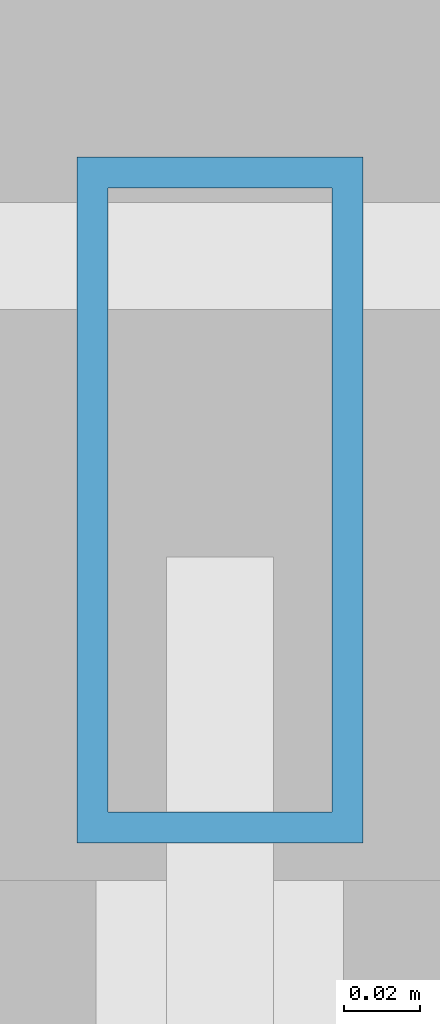
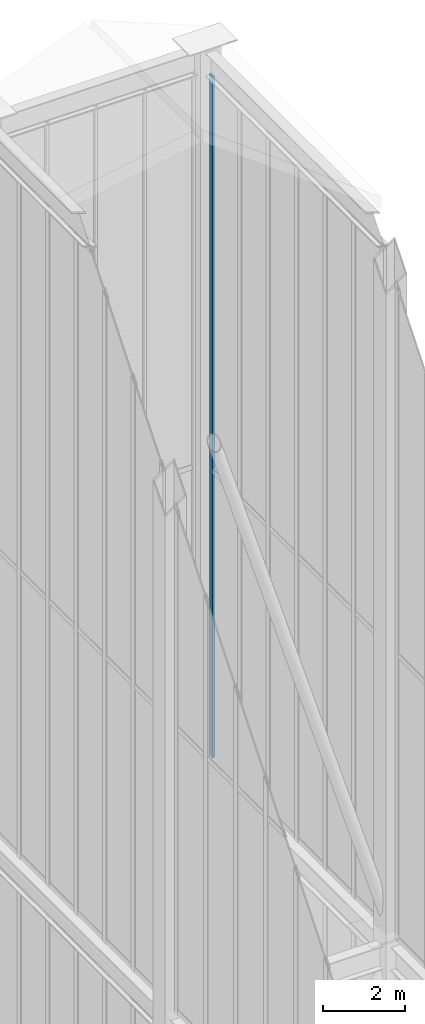
# One storey, part 122 of 135: 1 member, 1 element without a shape of its own.
"""IFC4 building model written with IfcOpenShell, lengths in metres."""

from ifc_helpers import new_model, si_unit, direction, frame, origin, origin_2d, place, context, subcontext, project, spatial, hollow_rectangle, extrude, source, transform, mapped, material, layer, layer_set, material_profile, profile_set, type_object, element, aggregate, save


model = new_model("IFC4")

# Units and contexts
model_context = context("Model", 3, precision=1e-05, world=origin(), true_north=direction((0.0, 1.0)))
body_context = subcontext(model_context, "Body", "Model", "MODEL_VIEW")
ifc_project = project(units=[si_unit("LENGTHUNIT", "METRE"), si_unit("AREAUNIT", "SQUARE_METRE"), si_unit("VOLUMEUNIT", "CUBIC_METRE"), si_unit("PLANEANGLEUNIT", "RADIAN"), si_unit("MASSUNIT", "GRAM", prefix="KILO")], contexts=[model_context])

# Site, building, storey
site_placement = place(None, origin())
site = spatial("IfcSite", under=ifc_project, at=site_placement, CompositionType="ELEMENT")
building_placement = place(site_placement, origin())
building = spatial("IfcBuilding", under=site, at=building_placement, Name="Giltprow Tower", CompositionType="ELEMENT")
storey_placement = place(building_placement, frame((0.0, 0.0, 352.699951171875)))
storey = spatial("IfcBuildingStorey", under=building, at=storey_placement, Name="L92", CompositionType="ELEMENT", Elevation=352.699951171875)

# Curtain wall, member
ifc_material = material(Name="Anodized bronze", Category="metal")
ifc_layer = layer(ifc_material, 0.179931640625, Name="Anodized bronze")
ifc_layer_set = layer_set([ifc_layer], Name="Anodized bronze")
curtain_wall_type = type_object("IfcCurtainWallType", Name="CW-CROWN-LANTERN", PredefinedType="NOTDEFINED", material=ifc_layer_set)
curtain_wall_placement = place(storey_placement, origin())
curtain_wall = element("IfcCurtainWall", 1, at=curtain_wall_placement, inside=storey, type_object=curtain_wall_type, Name="Crown East Upper Lantern Glazing 3", PredefinedType="NOTDEFINED")
ifc_material_profile = material_profile(ifc_material, hollow_rectangle(XDim=0.074951171875, YDim=0.179931640625, WallThickness=0.008056640625, at=origin_2d()), Name="RHS 180x75x8")
ifc_profile_set = profile_set([ifc_material_profile], Name="Anodized bronze")
member_type = type_object("IfcMemberType", Name="CW-MULLION-180x75", PredefinedType="MULLION", material=ifc_profile_set)
shared_shape = source(origin(), body_context, "Body", "SweptSolid", [
    extrude(hollow_rectangle(XDim=0.074951171875, YDim=0.179931640625, WallThickness=0.008056640625, at=origin_2d()), origin(), (0.0, 0.0, 1.0), 20.406005859375),
])
member_placement = place(storey_placement, frame((50.550048828125, 46.199951171875, 17.25), z_axis=(0.0, 0.0, 1.0), x_axis=(1.0, 0.0, 0.0)))
member = element("IfcMember", 2, at=member_placement, type_object=member_type, Name="Crown East Upper Lantern Glazing 3 Mullion 7", PredefinedType="MULLION", context=body_context, shape_type="MappedRepresentation", body=[
    mapped(shared_shape, transform((0.0, 0.0, 0.0), x_axis=(1.0, 0.0, 0.0), y_axis=(0.0, 1.0, 0.0), z_axis=(0.0, 0.0, 1.0), scale=1.0)),
])
aggregate(curtain_wall, [member])

save(model, "model.ifc")
